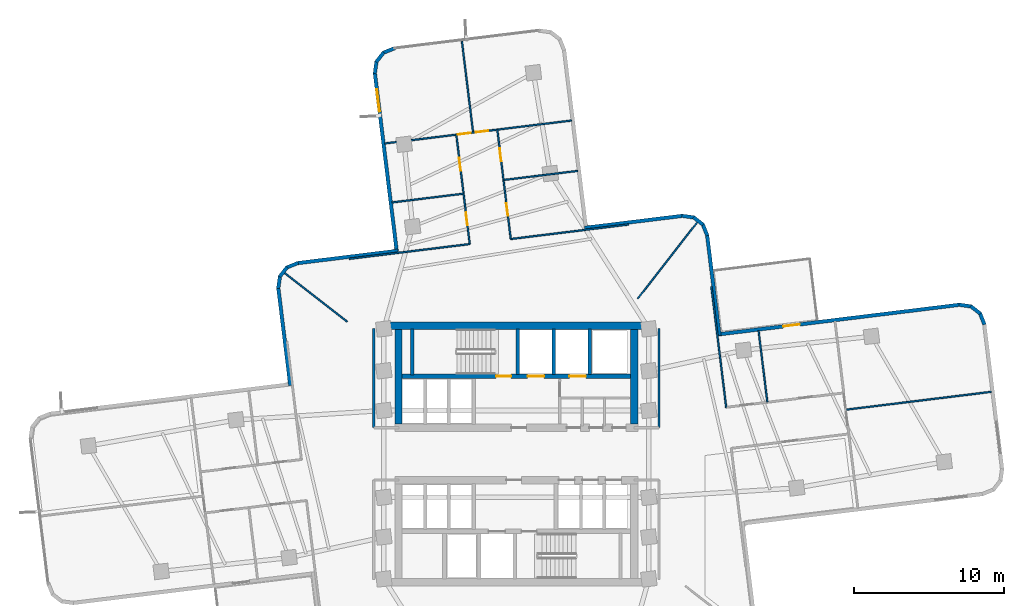
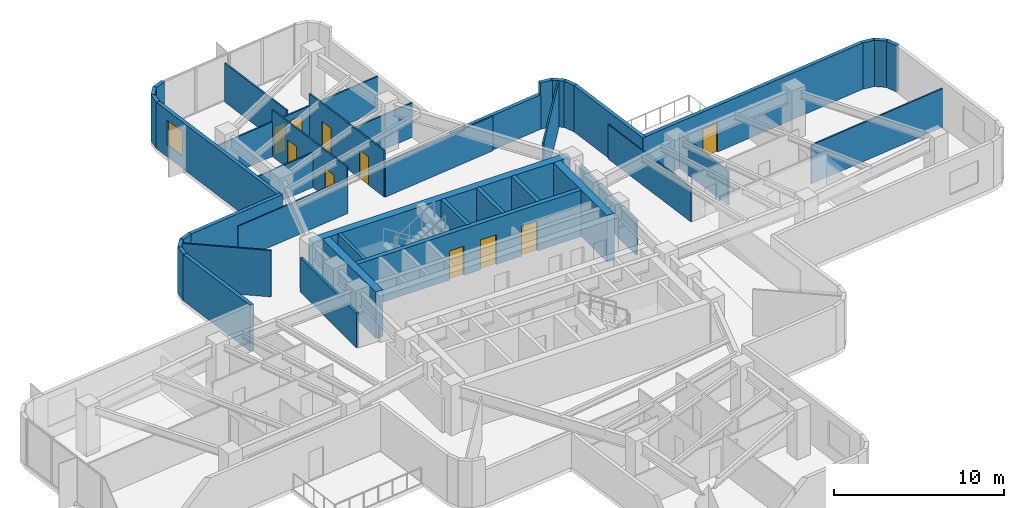
# One storey, part 9 of 13: 41 walls, 10 doors, 1 window, 11 openings.
"""IFC4 building model written with IfcOpenShell, lengths in metres."""

import ifcopenshell
import ifcopenshell.guid

model = None  # the IFC model being written
_history = None  # IfcOwnerHistory: only IFC2X3 demands one
_inside = {}  # id of a spatial element -> (the spatial element, [elements in it])
_under = {}  # id of a project, library or spatial element -> (it, [spatial elements below it])
_declared = {}  # id of a project -> (the project, [libraries it declares])
_typed = {}  # id of a type object -> (the type object, [elements of that type])
_made_of = {}  # id of a material, layer set ... -> (it, [elements and type objects made of it])


def new_model(schema):
    """Start an empty IFC model of exactly this schema.

    Asked for "IFC4X3", IfcOpenShell would pick the latest addendum, in which some entities
    have other attributes; the version numbers below select the first issue.
    IFC2X3 requires an IfcOwnerHistory on every rooted entity: one is made here for all.
    """
    global model, _history
    if schema == "IFC4X3":
        model = ifcopenshell.file(schema_version=(4, 3, 0, 0))
    else:
        model = ifcopenshell.file(schema=schema)
    _inside.clear()
    _under.clear()
    _declared.clear()
    _typed.clear()
    _made_of.clear()
    _history = None
    if model.schema == "IFC2X3":
        org = make("IfcOrganization", Name="unknown")
        user = make(
            "IfcPersonAndOrganization",
            ThePerson=make("IfcPerson", FamilyName="unknown"),
            TheOrganization=org,
        )
        app = make(
            "IfcApplication",
            ApplicationDeveloper=org,
            Version="unknown",
            ApplicationFullName="unknown",
            ApplicationIdentifier="unknown",
        )
        _history = make(
            "IfcOwnerHistory",
            OwningUser=user,
            OwningApplication=app,
            ChangeAction="ADDED",
            CreationDate=0,
        )
    return model


def make(cls, **values):
    """One entity of the class cls with the attributes given. An attribute that is None is left unset."""
    return model.create_entity(
        cls, **{name: value for name, value in values.items() if value is not None}
    )


def rooted(cls, **values):
    """An entity with a GlobalId (a new one), such as an element, a storey or a relation."""
    return make(cls, GlobalId=ifcopenshell.guid.new(), OwnerHistory=_history, **values)


def si_unit(unit_type, name, prefix=None):
    """IfcSIUnit, for example si_unit("LENGTHUNIT", "METRE", prefix="MILLI")."""
    return make("IfcSIUnit", UnitType=unit_type, Prefix=prefix, Name=name)


def assignment(units):
    """IfcUnitAssignment: the units of a project."""
    return None if units is None else make("IfcUnitAssignment", Units=units)


def point(xyz):
    """IfcCartesianPoint."""
    return None if xyz is None else make("IfcCartesianPoint", Coordinates=xyz)


def direction(xyz):
    """IfcDirection."""
    return None if xyz is None else make("IfcDirection", DirectionRatios=xyz)


def frame(location, z_axis=None, x_axis=None):
    """IfcAxis2Placement3D, a coordinate frame: its origin and axes. An axis left out is left unset."""
    return make(
        "IfcAxis2Placement3D",
        Location=point(location),
        Axis=direction(z_axis),
        RefDirection=direction(x_axis),
    )


def frame_2d(location, x_axis=None):
    """IfcAxis2Placement2D, a coordinate frame in the plane: its origin and x axis."""
    return make(
        "IfcAxis2Placement2D", Location=point(location), RefDirection=direction(x_axis)
    )


def origin():
    """The frame at (0, 0, 0) with its axes left unset."""
    return frame((0.0, 0.0, 0.0))


def place(relative_to, where):
    """IfcLocalPlacement: puts the frame where relative to a parent placement (None: the world)."""
    return make(
        "IfcLocalPlacement", PlacementRelTo=relative_to, RelativePlacement=where
    )


def context(
    kind, dimensions, precision=None, world=None, true_north=None, identifier=None
):
    """IfcGeometricRepresentationContext, for example the 3D "Model" context."""
    return make(
        "IfcGeometricRepresentationContext",
        ContextIdentifier=identifier,
        ContextType=kind,
        CoordinateSpaceDimension=dimensions,
        Precision=precision,
        WorldCoordinateSystem=world,
        TrueNorth=true_north,
    )


def subcontext(parent, identifier, kind, view, scale=None):
    """IfcGeometricRepresentationSubContext, for example "Body" below "Model"."""
    return make(
        "IfcGeometricRepresentationSubContext",
        ContextIdentifier=identifier,
        ContextType=kind,
        ParentContext=parent,
        TargetScale=scale,
        TargetView=view,
    )


def project(units=None, contexts=None):
    """IfcProject with its units and contexts."""
    return rooted(
        "IfcProject",
        Name="project",
        RepresentationContexts=contexts,
        UnitsInContext=assignment(units),
    )


def spatial(cls, under=None, at=None, **own):
    """A site, building, storey or space (cls), placed at a placement, below another one or the project."""
    s = rooted(cls, ObjectPlacement=at, **own)
    if under is not None:
        _under.setdefault(under.id(), (under, []))[1].append(s)
    return s


def profile(cls, at=None, kind="AREA", **sizes):
    """A parametric profile (cls). Its sizes go by their IFC names, for example OverallWidth=200.0."""
    return make(cls, ProfileType=kind, Position=at, **sizes)


def rectangle(**sizes):
    """IfcRectangleProfileDef."""
    return profile("IfcRectangleProfileDef", **sizes)


def extrude(swept, where, along, depth):
    """IfcExtrudedAreaSolid: the profile swept, set in the frame where, extruded along a direction by depth."""
    return make(
        "IfcExtrudedAreaSolid",
        SweptArea=swept,
        Position=where,
        ExtrudedDirection=direction(along),
        Depth=depth,
    )


def shape(context_of_items, identifier, shape_type, items):
    """IfcShapeRepresentation: the items that make up one representation, for example the "Body"."""
    return make(
        "IfcShapeRepresentation",
        ContextOfItems=context_of_items,
        RepresentationIdentifier=identifier,
        RepresentationType=shape_type,
        Items=items,
    )


def material(Name=None, Category=None):
    """IfcMaterial."""
    return make("IfcMaterial", Name=Name, Category=Category)


def layer(
    of_material, thickness, ventilated=None, Name=None, Category=None, Priority=None
):
    """IfcMaterialLayer: one layer of a wall or slab, of a material (None: an air gap)."""
    return make(
        "IfcMaterialLayer",
        Material=of_material,
        LayerThickness=thickness,
        IsVentilated=ventilated,
        Name=Name,
        Category=Category,
        Priority=Priority,
    )


def layer_set(layers, Name=None):
    """IfcMaterialLayerSet."""
    return make("IfcMaterialLayerSet", MaterialLayers=layers, LayerSetName=Name)


def made_of(thing, what):
    """Note that an element or type object is made of a material, layer set ...; save() writes the relation."""
    if what is not None:
        _made_of.setdefault(what.id(), (what, []))[1].append(thing)
    return thing


def type_object(cls, material=None, **own):
    """A type object (cls), such as IfcWallType, which elements share."""
    return made_of(rooted(cls, **own), material)


def element(
    cls,
    number,
    at=None,
    inside=None,
    cuts=None,
    type_object=None,
    material=None,
    context=None,
    identifier="Body",
    shape_type=None,
    held_by="IfcProductDefinitionShape",
    body=None,
    shapes=None,
    **own,
):
    """One element of the class cls, such as IfcWall. Its Tag is "e" and its number.

    at: its placement. inside: the storey or other place that contains it. cuts: it is an
    opening in that element (IfcRelVoidsElement). A single representation is given by context,
    identifier, shape_type and body (its items); several are given by shapes. held_by: the class
    of the entity that holds the representations. save() writes the other relations.
    """
    e = rooted(cls, Tag="e%d" % number, ObjectPlacement=at, **own)
    if body is not None:
        shapes = [shape(context, identifier, shape_type, body)]
    if shapes is not None:
        e.Representation = make(held_by, Representations=shapes)
    if inside is not None:
        _inside.setdefault(inside.id(), (inside, []))[1].append(e)
    if cuts is not None:
        rooted(
            "IfcRelVoidsElement", RelatingBuildingElement=cuts, RelatedOpeningElement=e
        )
    if type_object is not None:
        _typed.setdefault(type_object.id(), (type_object, []))[1].append(e)
    return made_of(e, material)


def fill(opening, filler):
    """IfcRelFillsElement: the door or window that sits in an opening."""
    return rooted(
        "IfcRelFillsElement",
        RelatingOpeningElement=opening,
        RelatedBuildingElement=filler,
    )


def aggregate(whole, parts):
    """IfcRelAggregates: a whole, such as a stair, and the parts it consists of."""
    return rooted("IfcRelAggregates", RelatingObject=whole, RelatedObjects=parts)


def save(model, path):
    """Write the relations noted so far, then the file.

    IfcRelAggregates (storeys below a building ...), IfcRelContainedInSpatialStructure (elements
    in a storey), IfcRelDefinesByType, IfcRelAssociatesMaterial and IfcRelDeclares: one each for
    every whole, place, type object, material and project.
    """
    for whole, parts in _under.values():
        aggregate(whole, parts)
    for where, things in _inside.values():
        rooted(
            "IfcRelContainedInSpatialStructure",
            RelatedElements=things,
            RelatingStructure=where,
        )
    for kind, things in _typed.values():
        rooted("IfcRelDefinesByType", RelatedObjects=things, RelatingType=kind)
    for what, things in _made_of.values():
        rooted("IfcRelAssociatesMaterial", RelatedObjects=things, RelatingMaterial=what)
    for by, libraries in _declared.values():
        rooted("IfcRelDeclares", RelatingContext=by, RelatedDefinitions=libraries)
    model.write(path)


model = new_model("IFC4")

# Units and contexts
model_context = context("Model", 3, precision=1e-05, world=origin(), true_north=direction((0.0, 1.0)))
body_context = subcontext(model_context, "Body", "Model", "MODEL_VIEW")
ifc_project = project(units=[si_unit("LENGTHUNIT", "METRE"), si_unit("AREAUNIT", "SQUARE_METRE"), si_unit("VOLUMEUNIT", "CUBIC_METRE"), si_unit("PLANEANGLEUNIT", "RADIAN"), si_unit("MASSUNIT", "GRAM", prefix="KILO")], contexts=[model_context])

# Site, building, storey
site_placement = place(None, origin())
site = spatial("IfcSite", under=ifc_project, at=site_placement, CompositionType="ELEMENT")
building_placement = place(site_placement, origin())
building = spatial("IfcBuilding", under=site, at=building_placement, Name="Solmarez Civic Tower", CompositionType="ELEMENT")
storey_placement = place(building_placement, frame((0.0, 0.0, 82.080078125)))
storey = spatial("IfcBuildingStorey", under=building, at=storey_placement, Name="L21", CompositionType="ELEMENT", Elevation=82.080078125)

# Walls
ifc_material_1 = material(Name="Concrete C60/75", Category="concrete")
ifc_layer_1 = layer(ifc_material_1, 0.5)
ifc_layer_set_1 = layer_set([ifc_layer_1], Name="Concrete C60/75")
wall_type_1 = type_object("IfcWallType", Name="WALL-CORE-500", PredefinedType="SHEAR", material=ifc_layer_set_1)
wall_1_placement = place(storey_placement, frame((-8.780029296875, 8.56005859375, 0.0), z_axis=(0.0, 0.0, 1.0), x_axis=(1.0, 0.0, 0.0)))
element("IfcWall", 1, at=wall_1_placement, inside=storey, type_object=wall_type_1, Name="L21 Split-Core Structural Wall NCW-N-L21", PredefinedType="SHEAR", context=body_context, shape_type="SweptSolid", body=[
    extrude(rectangle(XDim=17.56005859375, YDim=0.5, at=frame_2d((8.780029296875, 0.0))), origin(), (0.0, 0.0, 1.0), 3.33984375),
])
for number, where, z_axis, x_axis, name in (
    (2, (-7.8701171875, 2.0, 0.0), (0.0, 0.0, 1.0), (0.0, 1.0, 0.0), "L21 Split-Core Structural Wall NCW-W-L21"),
    (3, (7.8701171875, 8.31005859375, 0.0), (0.0, 0.0, 1.0), (0.0, -1.0, 0.0), "L21 Split-Core Structural Wall NCW-E-L21"),
):
    element("IfcWall", number, at=place(storey_placement, frame(where, z_axis=z_axis, x_axis=x_axis)), inside=storey, type_object=wall_type_1, Name=name, PredefinedType="SHEAR", context=body_context, shape_type="SweptSolid", body=[
        extrude(rectangle(XDim=6.31005859375, YDim=0.5, at=frame_2d((3.155029296875, 0.0))), origin(), (0.0, 0.0, 1.0), 3.33984375),
    ])
ifc_material_2 = material(Name="Precast concrete C40/50", Category="concrete")
ifc_layer_2 = layer(ifc_material_2, 0.239990234375)
ifc_layer_set_2 = layer_set([ifc_layer_2], Name="Precast concrete C40/50")
wall_type_2 = type_object("IfcWallType", Name="WALL-EXT-240", PredefinedType="SOLIDWALL", material=ifc_layer_set_2)
wall_2_placement = place(storey_placement, frame((-15.097900390625, 4.55810546875, 0.0), z_axis=(0.0, 0.0, 1.0), x_axis=(-0.121938646341, 0.992537639855, 0.0)))
element("IfcWall", 4, at=wall_2_placement, inside=storey, type_object=wall_type_2, Name="L21 Exterior Precast Wall 13", PredefinedType="SOLIDWALL", context=body_context, shape_type="SweptSolid", body=[
    extrude(rectangle(XDim=6.59521484375, YDim=0.239990234375, at=frame_2d((3.297607421875, 0.0))), origin(), (0.0, 0.0, 1.0), 3.33984375),
])
wall_3_placement = place(storey_placement, frame((-15.902099609375, 11.053955078125, 0.0), z_axis=(0.0, 0.0, 1.0), x_axis=(0.138376981782, 0.990379629694, 0.0)))
element("IfcWall", 5, at=wall_3_placement, inside=storey, type_object=wall_type_2, Name="L21 Exterior Precast Wall 14", PredefinedType="SOLIDWALL", context=body_context, shape_type="SweptSolid", body=[
    extrude(rectangle(XDim=0.8310546875, YDim=0.239990234375, at=frame_2d((0.41552734375, 0.0))), origin(), (0.0, 0.0, 1.0), 3.33984375),
])
wall_4_placement = place(storey_placement, frame((-15.804931640625, 11.83203125, 0.0), z_axis=(0.0, 0.0, 1.0), x_axis=(0.614397431824, 0.788996702001, 0.0)))
element("IfcWall", 6, at=wall_4_placement, inside=storey, type_object=wall_type_2, Name="L21 Exterior Precast Wall 15", PredefinedType="SOLIDWALL", context=body_context, shape_type="SweptSolid", body=[
    extrude(rectangle(XDim=0.813720703125, YDim=0.239990234375, at=frame_2d((0.40673828125, 0.0))), origin(), (0.0, 0.0, 1.0), 3.33984375),
])
wall_5_placement = place(storey_placement, frame((-15.343017578125, 12.445068359375, 0.0), z_axis=(0.0, 0.0, 1.0), x_axis=(0.927724225254, 0.37326634174, 0.0)))
element("IfcWall", 7, at=wall_5_placement, inside=storey, type_object=wall_type_2, Name="L21 Exterior Precast Wall 16", PredefinedType="SOLIDWALL", context=body_context, shape_type="SweptSolid", body=[
    extrude(rectangle(XDim=0.830078125, YDim=0.239990234375, at=frame_2d((0.4150390625, 0.0))), origin(), (0.0, 0.0, 1.0), 3.33984375),
])
wall_6_placement = place(storey_placement, frame((-14.62109375, 12.742919921875, 0.0), z_axis=(0.0, 0.0, 1.0), x_axis=(0.992536263595, 0.121949848087, 0.0)))
element("IfcWall", 8, at=wall_6_placement, inside=storey, type_object=wall_type_2, Name="L21 Exterior Precast Wall 17", PredefinedType="SOLIDWALL", context=body_context, shape_type="SweptSolid", body=[
    extrude(rectangle(XDim=6.774658203125, YDim=0.239990234375, at=frame_2d((3.38720703125, 0.0))), origin(), (0.0, 0.0, 1.0), 3.33984375),
])

# Wall, opening, window
wall_7_placement = place(storey_placement, frame((-7.97998046875, 13.4619140625, 0.0), z_axis=(0.0, 0.0, 1.0), x_axis=(-0.12189689255, 0.992542768644, 0.0)))
wall_7 = element("IfcWall", 9, at=wall_7_placement, inside=storey, type_object=wall_type_2, Name="L21 Exterior Precast Wall 20", PredefinedType="SOLIDWALL", context=body_context, shape_type="SweptSolid", body=[
    extrude(rectangle(XDim=12.0751953125, YDim=0.239990234375, at=frame_2d((6.03759765625, 0.0))), origin(), (0.0, 0.0, 1.0), 3.33984375),
])
opening_1_placement = place(wall_7_placement, frame((9.47509765625, 0.0, 0.85009765625)))
opening_1 = element("IfcOpeningElement", 10, at=opening_1_placement, cuts=wall_7, Name="Opening W-13", PredefinedType="OPENING", context=body_context, shape_type="SweptSolid", body=[
    extrude(rectangle(XDim=1.5, YDim=1.800048828125, at=frame_2d((0.75, 0.89990234375))), frame((0.0, 0.1298828125, 0.0), z_axis=(0.0, -1.0, 0.0), x_axis=(1.0, 0.0, 0.0)), (0.0, 0.0, 1.0), 0.260009765625),
])
ifc_material_3 = material(Name="Solar Control Bronze-Tinted Insulating Glass", Category="glass")
window_type = type_object("IfcWindowType", Name="WIN-1500X1800", PartitioningType="SINGLE_PANEL", PredefinedType="WINDOW", material=ifc_material_3)
window_placement = place(opening_1_placement, origin())
window = element("IfcWindow", 11, at=window_placement, inside=storey, type_object=window_type, Name="L21 Exterior Facade Window 20", OverallHeight=1.800048828125, OverallWidth=1.5, PartitioningType="SINGLE_PANEL", PredefinedType="WINDOW", context=body_context, shape_type="SweptSolid", body=[
    extrude(rectangle(XDim=1.5, YDim=1.800048828125, at=frame_2d((0.75, 0.89990234375))), frame((0.0, 0.030029296875, 0.0), z_axis=(0.0, -1.0, 0.0), x_axis=(1.0, 0.0, 0.0)), (0.0, 0.0, 1.0), 0.06005859375),
])
fill(opening_1, window)

# Walls
wall_8_placement = place(storey_placement, frame((-9.451904296875, 25.39697265625, 0.0), z_axis=(0.0, 0.0, 1.0), x_axis=(0.138376981782, 0.990379629694, 0.0)))
element("IfcWall", 12, at=wall_8_placement, inside=storey, type_object=wall_type_2, Name="L21 Exterior Precast Wall 21", PredefinedType="SOLIDWALL", context=body_context, shape_type="SweptSolid", body=[
    extrude(rectangle(XDim=0.8310546875, YDim=0.239990234375, at=frame_2d((0.41552734375, 0.0))), origin(), (0.0, 0.0, 1.0), 3.33984375),
])
wall_9_placement = place(storey_placement, frame((-9.35498046875, 26.175048828125, 0.0), z_axis=(0.0, 0.0, 1.0), x_axis=(0.614542882467, 0.788883416995, 0.0)))
element("IfcWall", 13, at=wall_9_placement, inside=storey, type_object=wall_type_2, Name="L21 Exterior Precast Wall 22", PredefinedType="SOLIDWALL", context=body_context, shape_type="SweptSolid", body=[
    extrude(rectangle(XDim=0.813720703125, YDim=0.239990234375, at=frame_2d((0.40673828125, 0.0))), origin(), (0.0, 0.0, 1.0), 3.33984375),
])
wall_10_placement = place(storey_placement, frame((-8.89306640625, 26.7880859375, 0.0), z_axis=(0.0, 0.0, 1.0), x_axis=(0.927724225254, 0.37326634174, 0.0)))
element("IfcWall", 14, at=wall_10_placement, inside=storey, type_object=wall_type_2, Name="L21 Exterior Precast Wall 23", PredefinedType="SOLIDWALL", context=body_context, shape_type="SweptSolid", body=[
    extrude(rectangle(XDim=0.830078125, YDim=0.239990234375, at=frame_2d((0.4150390625, 0.0))), origin(), (0.0, 0.0, 1.0), 3.33984375),
])
wall_11_placement = place(storey_placement, frame((4.55810546875, 15.097900390625, 0.0), z_axis=(0.0, 0.0, 1.0), x_axis=(0.992537639855, 0.121938646341, 0.0)))
element("IfcWall", 15, at=wall_11_placement, inside=storey, type_object=wall_type_2, Name="L21 Exterior Precast Wall 31", PredefinedType="SOLIDWALL", context=body_context, shape_type="SweptSolid", body=[
    extrude(rectangle(XDim=6.59521484375, YDim=0.239990234375, at=frame_2d((3.297607421875, 0.0))), origin(), (0.0, 0.0, 1.0), 2.48583984375),
])
wall_12_placement = place(storey_placement, frame((11.053955078125, 15.902099609375, 0.0), z_axis=(0.0, 0.0, 1.0), x_axis=(0.990379629694, -0.138376981782, 0.0)))
element("IfcWall", 16, at=wall_12_placement, inside=storey, type_object=wall_type_2, Name="L21 Exterior Precast Wall 32", PredefinedType="SOLIDWALL", context=body_context, shape_type="SweptSolid", body=[
    extrude(rectangle(XDim=0.8310546875, YDim=0.239990234375, at=frame_2d((0.41552734375, 0.0))), origin(), (0.0, 0.0, 1.0), 3.33984375),
])
wall_13_placement = place(storey_placement, frame((11.83203125, 15.804931640625, 0.0), z_axis=(0.0, 0.0, 1.0), x_axis=(0.788996702001, -0.614397431824, 0.0)))
element("IfcWall", 17, at=wall_13_placement, inside=storey, type_object=wall_type_2, Name="L21 Exterior Precast Wall 33", PredefinedType="SOLIDWALL", context=body_context, shape_type="SweptSolid", body=[
    extrude(rectangle(XDim=0.813720703125, YDim=0.239990234375, at=frame_2d((0.40673828125, 0.0))), origin(), (0.0, 0.0, 1.0), 3.33984375),
])
wall_14_placement = place(storey_placement, frame((12.445068359375, 15.343017578125, 0.0), z_axis=(0.0, 0.0, 1.0), x_axis=(0.37326634174, -0.927724225254, 0.0)))
element("IfcWall", 18, at=wall_14_placement, inside=storey, type_object=wall_type_2, Name="L21 Exterior Precast Wall 34", PredefinedType="SOLIDWALL", context=body_context, shape_type="SweptSolid", body=[
    extrude(rectangle(XDim=0.830078125, YDim=0.239990234375, at=frame_2d((0.4150390625, 0.0))), origin(), (0.0, 0.0, 1.0), 3.33984375),
])
wall_15_placement = place(storey_placement, frame((12.742919921875, 14.62109375, 0.0), z_axis=(0.0, 0.0, 1.0), x_axis=(0.121949848087, -0.992536263595, 0.0)))
element("IfcWall", 19, at=wall_15_placement, inside=storey, type_object=wall_type_2, Name="L21 Exterior Precast Wall 35", PredefinedType="SOLIDWALL", context=body_context, shape_type="SweptSolid", body=[
    extrude(rectangle(XDim=6.774658203125, YDim=0.239990234375, at=frame_2d((3.38720703125, 0.0))), origin(), (0.0, 0.0, 1.0), 3.33984375),
])

# Wall, opening, door
wall_16_placement = place(storey_placement, frame((13.4619140625, 7.97998046875, 0.0), z_axis=(0.0, 0.0, 1.0), x_axis=(0.992550299081, 0.121835560463, 0.0)))
wall_16 = element("IfcWall", 20, at=wall_16_placement, inside=storey, type_object=wall_type_2, Name="L21 Exterior Precast Wall 38", PredefinedType="SOLIDWALL", context=body_context, shape_type="SweptSolid", body=[
    extrude(rectangle(XDim=16.275390625, YDim=0.239990234375, at=frame_2d((8.1376953125, 0.0))), origin(), (0.0, 0.0, 1.0), 3.33984375),
])
opening_2_placement = place(wall_16_placement, frame((4.39990234375, 0.0, 0.0)))
opening_2 = element("IfcOpeningElement", 21, at=opening_2_placement, cuts=wall_16, Name="Opening D-06", PredefinedType="OPENING", context=body_context, shape_type="SweptSolid", body=[
    extrude(rectangle(XDim=1.10009765625, YDim=2.10009765625, at=frame_2d((0.550048828125, 1.050048828125))), frame((0.0, 0.1298828125, 0.0), z_axis=(0.0, -1.0, 0.0), x_axis=(1.0, 0.0, 0.0)), (0.0, 0.0, 1.0), 0.260009765625),
])
ifc_material_4 = material(Name="Bronze Anodised Aluminium Glazed Terrace Door", Category="aluminium")
door_type_1 = type_object("IfcDoorType", Name="DOOR-TERR-1100", OperationType="NOTDEFINED", PredefinedType="DOOR", material=ifc_material_4)
door_1_placement = place(opening_2_placement, origin())
door_1 = element("IfcDoor", 22, at=door_1_placement, inside=storey, type_object=door_type_1, Name="L21 Outdoor Terrace Glazed Door", OperationType="SINGLE_SWING_RIGHT", OverallHeight=2.10009765625, OverallWidth=1.10009765625, PredefinedType="DOOR", context=body_context, shape_type="SweptSolid", body=[
    extrude(rectangle(XDim=1.10009765625, YDim=2.10009765625, at=frame_2d((0.550048828125, 1.050048828125))), frame((0.0, 0.02490234375, 0.0), z_axis=(0.0, -1.0, 0.0), x_axis=(1.0, 0.0, 0.0)), (0.0, 0.0, 1.0), 0.050048828125),
])
fill(opening_2, door_1)

# Walls
wall_17_placement = place(storey_placement, frame((29.56591796875, 9.962890625, 0.0), z_axis=(0.0, 0.0, 1.0), x_axis=(0.990579937989, -0.136935701899, 0.0)))
element("IfcWall", 23, at=wall_17_placement, inside=storey, type_object=wall_type_2, Name="L21 Exterior Precast Wall 39", PredefinedType="SOLIDWALL", context=body_context, shape_type="SweptSolid", body=[
    extrude(rectangle(XDim=0.830810546875, YDim=0.239990234375, at=frame_2d((0.41552734375, 0.0))), origin(), (0.0, 0.0, 1.0), 3.33984375),
])
wall_18_placement = place(storey_placement, frame((30.343994140625, 9.866943359375, 0.0), z_axis=(0.0, 0.0, 1.0), x_axis=(0.788996702001, -0.614397431824, 0.0)))
element("IfcWall", 24, at=wall_18_placement, inside=storey, type_object=wall_type_2, Name="L21 Exterior Precast Wall 40", PredefinedType="SOLIDWALL", context=body_context, shape_type="SweptSolid", body=[
    extrude(rectangle(XDim=0.813720703125, YDim=0.239990234375, at=frame_2d((0.40673828125, 0.0))), origin(), (0.0, 0.0, 1.0), 3.33984375),
])
wall_19_placement = place(storey_placement, frame((30.95703125, 9.405029296875, 0.0), z_axis=(0.0, 0.0, 1.0), x_axis=(0.373519459995, -0.927622343955, 0.0)))
element("IfcWall", 25, at=wall_19_placement, inside=storey, type_object=wall_type_2, Name="L21 Exterior Precast Wall 41", PredefinedType="SOLIDWALL", context=body_context, shape_type="SweptSolid", body=[
    extrude(rectangle(XDim=0.830078125, YDim=0.239990234375, at=frame_2d((0.4150390625, 0.0))), origin(), (0.0, 0.0, 1.0), 3.33984375),
])
ifc_material_5 = material(Name="Gypsum Board Acoustic Steel-Stud Partition", Category="steel")
ifc_layer_3 = layer(ifc_material_5, 0.14990234375)
ifc_layer_set_3 = layer_set([ifc_layer_3], Name="Gypsum Board Acoustic Steel-Stud Partition")
wall_type_3 = type_object("IfcWallType", Name="WALL-INT-FIRE-150", PredefinedType="PARTITIONING", material=ifc_layer_set_3)
for number, where, z_axis, x_axis, name in (
    (26, (-9.52001953125, 1.75, 0.0), (0.0, 0.0, 1.0), (0.0, 1.0, 0.0), "L21 Interior Partition CHW-L21-WN1"),
    (27, (9.52001953125, 1.75, 0.0), (0.0, 0.0, 1.0), (0.0, 1.0, 0.0), "L21 Interior Partition CHW-L21-EN1"),
):
    element("IfcWall", number, at=place(storey_placement, frame(where, z_axis=z_axis, x_axis=x_axis)), inside=storey, type_object=wall_type_3, Name=name, PredefinedType="PARTITIONING", context=body_context, shape_type="SweptSolid", body=[
        extrude(rectangle(XDim=6.6298828125, YDim=0.14990234375, at=frame_2d((3.31494140625, 0.0))), origin(), (0.0, 0.0, 1.0), 2.48583984375),
    ])
ifc_layer_4 = layer(ifc_material_5, 0.10009765625)
ifc_layer_set_4 = layer_set([ifc_layer_4], Name="Gypsum Board Acoustic Steel-Stud Partition")
wall_type_4 = type_object("IfcWallType", Name="WALL-INT-PART-100", PredefinedType="PARTITIONING", material=ifc_layer_set_4)
wall_20_placement = place(storey_placement, frame((8.110107421875, 10.3798828125, 0.0), z_axis=(0.0, 0.0, 1.0), x_axis=(0.615665236773, 0.788007814828, 0.0)))
element("IfcWall", 28, at=wall_20_placement, inside=storey, type_object=wall_type_4, Name="L21 Interior Partition PT-L21-QDIV-1", PredefinedType="PARTITIONING", context=body_context, shape_type="SweptSolid", body=[
    extrude(rectangle(XDim=6.482421875, YDim=0.10009765625, at=frame_2d((3.2412109375, 0.0))), origin(), (0.0, 0.0, 1.0), 3.33984375),
])
wall_21_placement = place(storey_placement, frame((-11.300048828125, 8.8291015625, 0.0), z_axis=(0.0, 0.0, 1.0), x_axis=(-0.788014623364, 0.61565652223, 0.0)))
element("IfcWall", 29, at=wall_21_placement, inside=storey, type_object=wall_type_4, Name="L21 Interior Partition PT-L21-QDIV-2", PredefinedType="PARTITIONING", context=body_context, shape_type="SweptSolid", body=[
    extrude(rectangle(XDim=5.314697265625, YDim=0.10009765625, at=frame_2d((2.6572265625, 0.0))), origin(), (0.0, 0.0, 1.0), 3.33984375),
])
wall_22_placement = place(storey_placement, frame((14.01708984375, 3.10107421875, 0.0), z_axis=(0.0, 0.0, 1.0), x_axis=(-0.122045971517, 0.992524448483, 0.0)))
element("IfcWall", 30, at=wall_22_placement, inside=storey, type_object=wall_type_4, Name="L21 Interior Partition PT-L21-E-EFL", PredefinedType="PARTITIONING", context=body_context, shape_type="SweptSolid", body=[
    extrude(rectangle(XDim=8.129638671875, YDim=0.10009765625, at=frame_2d((4.06494140625, 0.0))), origin(), (0.0, 0.0, 1.0), 2.48583984375),
])
wall_23_placement = place(storey_placement, frame((16.761962890625, 3.468994140625, 0.0), z_axis=(0.0, 0.0, 1.0), x_axis=(-0.121797137196, 0.992555014783, 0.0)))
element("IfcWall", 31, at=wall_23_placement, inside=storey, type_object=wall_type_4, Name="L21 Interior Partition PT-L21-E-LM", PredefinedType="PARTITIONING", context=body_context, shape_type="SweptSolid", body=[
    extrude(rectangle(XDim=4.794677734375, YDim=0.10009765625, at=frame_2d((2.3974609375, 0.0))), origin(), (0.0, 0.0, 1.0), 2.48583984375),
])
wall_24_placement = place(storey_placement, frame((22.06396484375, 2.9609375, 0.0), z_axis=(0.0, 0.0, 1.0), x_axis=(0.992550160931, 0.121836685916, 0.0)))
element("IfcWall", 32, at=wall_24_placement, inside=storey, type_object=wall_type_4, Name="L21 Interior Partition PT-L21-E-TM", PredefinedType="PARTITIONING", context=body_context, shape_type="SweptSolid", body=[
    extrude(rectangle(XDim=9.734619140625, YDim=0.10009765625, at=frame_2d((4.8671875, 0.0))), origin(), (0.0, 0.0, 1.0), 2.79296875),
])
wall_25_placement = place(storey_placement, frame((-3.10107421875, 14.01708984375, 0.0), z_axis=(0.0, 0.0, 1.0), x_axis=(-0.992524448483, -0.122045971517, 0.0)))
element("IfcWall", 33, at=wall_25_placement, inside=storey, type_object=wall_type_4, Name="L21 Interior Partition PT-L21-N-EFL", PredefinedType="PARTITIONING", context=body_context, shape_type="SweptSolid", body=[
    extrude(rectangle(XDim=8.129638671875, YDim=0.10009765625, at=frame_2d((4.06494140625, 0.0))), origin(), (0.0, 0.0, 1.0), 2.48583984375),
])
wall_26_placement = place(storey_placement, frame((7.509033203125, 15.320068359375, 0.0), z_axis=(0.0, 0.0, 1.0), x_axis=(-0.992529957607, -0.122001160868, 0.0)))
element("IfcWall", 34, at=wall_26_placement, inside=storey, type_object=wall_type_4, Name="L21 Interior Partition PT-L21-N-EFR", PredefinedType="PARTITIONING", context=body_context, shape_type="SweptSolid", body=[
    extrude(rectangle(XDim=7.950439453125, YDim=0.10009765625, at=frame_2d((3.97509765625, 0.0))), origin(), (0.0, 0.0, 1.0), 2.48583984375),
])
wall_27_placement = place(storey_placement, frame((-3.5439453125, 17.3779296875, 0.0), z_axis=(0.0, 0.0, 1.0), x_axis=(-0.992530372873, -0.121997782455, 0.0)))
element("IfcWall", 35, at=wall_27_placement, inside=storey, type_object=wall_type_4, Name="L21 Interior Partition PT-L21-N-LM", PredefinedType="PARTITIONING", context=body_context, shape_type="SweptSolid", body=[
    extrude(rectangle(XDim=4.794921875, YDim=0.10009765625, at=frame_2d((2.3974609375, 0.0))), origin(), (0.0, 0.0, 1.0), 2.48583984375),
])
wall_28_placement = place(storey_placement, frame((4.10205078125, 18.90087890625, 0.0), z_axis=(0.0, 0.0, 1.0), x_axis=(-0.992554700093, -0.121799701653, 0.0)))
element("IfcWall", 36, at=wall_28_placement, inside=storey, type_object=wall_type_4, Name="L21 Interior Partition PT-L21-N-RM", PredefinedType="PARTITIONING", context=body_context, shape_type="SweptSolid", body=[
    extrude(rectangle(XDim=4.97509765625, YDim=0.10009765625, at=frame_2d((2.487548828125, 0.0))), origin(), (0.0, 0.0, 1.0), 2.48583984375),
])

# Wall, openings, doors
wall_29_placement = place(storey_placement, frame((-4.008056640625, 21.320068359375, 0.0), z_axis=(0.0, 0.0, 1.0), x_axis=(0.12187066259, -0.992545989665, 0.0)))
wall_29 = element("IfcWall", 37, at=wall_29_placement, inside=storey, type_object=wall_type_4, Name="L21 Interior Partition PT-L21-N-SL", PredefinedType="PARTITIONING", context=body_context, shape_type="SweptSolid", body=[
    extrude(rectangle(XDim=7.360107421875, YDim=0.10009765625, at=frame_2d((3.68017578125, 0.0))), origin(), (0.0, 0.0, 1.0), 3.33984375),
])
opening_3_placement = place(wall_29_placement, frame((5.235107421875, 0.0, 0.0)))
opening_3 = element("IfcOpeningElement", 38, at=opening_3_placement, cuts=wall_29, Name="Opening D-14", PredefinedType="OPENING", context=body_context, shape_type="SweptSolid", body=[
    extrude(rectangle(XDim=0.860107421875, YDim=2.0400390625, at=frame_2d((0.43017578125, 1.02001953125))), frame((0.0, 0.06005859375, 0.0), z_axis=(0.0, -1.0, 0.0), x_axis=(1.0, 0.0, 0.0)), (0.0, 0.0, 1.0), 0.1201171875),
])
opening_4_placement = place(wall_29_placement, frame((1.554931640625, 0.0, 0.0)))
opening_4 = element("IfcOpeningElement", 39, at=opening_4_placement, cuts=wall_29, Name="Opening D-14", PredefinedType="OPENING", context=body_context, shape_type="SweptSolid", body=[
    extrude(rectangle(XDim=0.860107421875, YDim=2.0400390625, at=frame_2d((0.43017578125, 1.02001953125))), frame((0.0, 0.06005859375, 0.0), z_axis=(0.0, -1.0, 0.0), x_axis=(1.0, 0.0, 0.0)), (0.0, 0.0, 1.0), 0.1201171875),
])
ifc_material_6 = material(Name="Timber Storage and Pantry Door", Category="wood")
door_type_2 = type_object("IfcDoorType", Name="DOOR-INT-850", OperationType="NOTDEFINED", PredefinedType="DOOR", material=ifc_material_6)
door_2_placement = place(opening_3_placement, origin())
door_2 = element("IfcDoor", 40, at=door_2_placement, inside=storey, type_object=door_type_2, Name="L21 Citizen Legal Clinic First North Door", OperationType="SINGLE_SWING_LEFT", OverallHeight=2.0400390625, OverallWidth=0.860107421875, PredefinedType="DOOR", context=body_context, shape_type="SweptSolid", body=[
    extrude(rectangle(XDim=0.860107421875, YDim=2.0400390625, at=frame_2d((0.43017578125, 1.02001953125))), frame((0.0, 0.02490234375, 0.0), z_axis=(0.0, -1.0, 0.0), x_axis=(1.0, 0.0, 0.0)), (0.0, 0.0, 1.0), 0.050048828125),
])
fill(opening_3, door_2)
door_3_placement = place(opening_4_placement, origin())
door_3 = element("IfcDoor", 41, at=door_3_placement, inside=storey, type_object=door_type_2, Name="L21 Public Reading Room Second North Door", OperationType="SINGLE_SWING_RIGHT", OverallHeight=2.0400390625, OverallWidth=0.860107421875, PredefinedType="DOOR", context=body_context, shape_type="SweptSolid", body=[
    extrude(rectangle(XDim=0.860107421875, YDim=2.0400390625, at=frame_2d((0.43017578125, 1.02001953125))), frame((0.0, 0.02490234375, 0.0), z_axis=(0.0, -1.0, 0.0), x_axis=(1.0, 0.0, 0.0)), (0.0, 0.0, 1.0), 0.050048828125),
])
fill(opening_4, door_3)

wall_30_placement = place(storey_placement, frame((-0.3720703125, 14.35205078125, 0.0), z_axis=(0.0, 0.0, 1.0), x_axis=(-0.121874675173, 0.992545496968, 0.0)))
wall_30 = element("IfcWall", 42, at=wall_30_placement, inside=storey, type_object=wall_type_4, Name="L21 Interior Partition PT-L21-N-SR", PredefinedType="PARTITIONING", context=body_context, shape_type="SweptSolid", body=[
    extrude(rectangle(XDim=7.35986328125, YDim=0.10009765625, at=frame_2d((3.679931640625, 0.0))), origin(), (0.0, 0.0, 1.0), 3.33984375),
])
opening_5_placement = place(wall_30_placement, frame((1.554931640625, 0.0, 0.0)))
opening_5 = element("IfcOpeningElement", 43, at=opening_5_placement, cuts=wall_30, Name="Opening D-14", PredefinedType="OPENING", context=body_context, shape_type="SweptSolid", body=[
    extrude(rectangle(XDim=0.860107421875, YDim=2.0400390625, at=frame_2d((0.43017578125, 1.02001953125))), frame((0.0, 0.06005859375, 0.0), z_axis=(0.0, -1.0, 0.0), x_axis=(1.0, 0.0, 0.0)), (0.0, 0.0, 1.0), 0.1201171875),
])
opening_6_placement = place(wall_30_placement, frame((5.235107421875, 0.0, 0.0)))
opening_6 = element("IfcOpeningElement", 44, at=opening_6_placement, cuts=wall_30, Name="Opening D-14", PredefinedType="OPENING", context=body_context, shape_type="SweptSolid", body=[
    extrude(rectangle(XDim=0.860107421875, YDim=2.0400390625, at=frame_2d((0.43017578125, 1.02001953125))), frame((0.0, 0.06005859375, 0.0), z_axis=(0.0, -1.0, 0.0), x_axis=(1.0, 0.0, 0.0)), (0.0, 0.0, 1.0), 0.1201171875),
])
door_4_placement = place(opening_5_placement, origin())
door_4 = element("IfcDoor", 45, at=door_4_placement, inside=storey, type_object=door_type_2, Name="L21 Delegates Study Lounge Third North Door", OperationType="SINGLE_SWING_RIGHT", OverallHeight=2.0400390625, OverallWidth=0.860107421875, PredefinedType="DOOR", context=body_context, shape_type="SweptSolid", body=[
    extrude(rectangle(XDim=0.860107421875, YDim=2.0400390625, at=frame_2d((0.43017578125, 1.02001953125))), frame((0.0, 0.02490234375, 0.0), z_axis=(0.0, -1.0, 0.0), x_axis=(1.0, 0.0, 0.0)), (0.0, 0.0, 1.0), 0.050048828125),
])
fill(opening_5, door_4)
door_5_placement = place(opening_6_placement, origin())
door_5 = element("IfcDoor", 46, at=door_5_placement, inside=storey, type_object=door_type_2, Name="L21 Wellness Fitness Room Fourth North Door", OperationType="SINGLE_SWING_LEFT", OverallHeight=2.0400390625, OverallWidth=0.860107421875, PredefinedType="DOOR", context=body_context, shape_type="SweptSolid", body=[
    extrude(rectangle(XDim=0.860107421875, YDim=2.0400390625, at=frame_2d((0.43017578125, 1.02001953125))), frame((0.0, 0.02490234375, 0.0), z_axis=(0.0, -1.0, 0.0), x_axis=(1.0, 0.0, 0.0)), (0.0, 0.0, 1.0), 0.050048828125),
])
fill(opening_6, door_5)

# Wall
wall_31_placement = place(storey_placement, frame((-2.89404296875, 21.51806640625, 0.0), z_axis=(0.0, 0.0, 1.0), x_axis=(-0.121787270839, 0.992556225441, 0.0)))
element("IfcWall", 47, at=wall_31_placement, inside=storey, type_object=wall_type_4, Name="L21 Interior Partition PT-L21-N-TM", PredefinedType="PARTITIONING", context=body_context, shape_type="SweptSolid", body=[
    extrude(rectangle(XDim=6.084228515625, YDim=0.10009765625, at=frame_2d((3.0419921875, 0.0))), origin(), (0.0, 0.0, 1.0), 2.79296875),
])

# Wall, openings, doors
wall_32_placement = place(storey_placement, frame((-8.787109375, 20.73291015625, 0.0), z_axis=(0.0, 0.0, 1.0), x_axis=(0.992533310633, 0.121973879511, 0.0)))
wall_32 = element("IfcWall", 48, at=wall_32_placement, inside=storey, type_object=wall_type_4, Name="L21 Interior Partition PT-L21-N-END", PredefinedType="PARTITIONING", context=body_context, shape_type="SweptSolid", body=[
    extrude(rectangle(XDim=12.56982421875, YDim=0.10009765625, at=frame_2d((6.284912109375, 0.0))), origin(), (0.0, 0.0, 1.0), 2.48583984375),
])
opening_7_placement = place(wall_32_placement, frame((6.114990234375, 0.0, 0.0)))
opening_7 = element("IfcOpeningElement", 49, at=opening_7_placement, cuts=wall_32, Name="Opening D-14", PredefinedType="OPENING", context=body_context, shape_type="SweptSolid", body=[
    extrude(rectangle(XDim=0.860107421875, YDim=2.0400390625, at=frame_2d((0.43017578125, 1.02001953125))), frame((0.0, 0.06005859375, 0.0), z_axis=(0.0, -1.0, 0.0), x_axis=(1.0, 0.0, 0.0)), (0.0, 0.0, 1.0), 0.1201171875),
])
opening_8_placement = place(wall_32_placement, frame((4.9150390625, 0.0, 0.0)))
opening_8 = element("IfcOpeningElement", 50, at=opening_8_placement, cuts=wall_32, Name="Opening D-14", PredefinedType="OPENING", context=body_context, shape_type="SweptSolid", body=[
    extrude(rectangle(XDim=0.860107421875, YDim=2.0400390625, at=frame_2d((0.43017578125, 1.02001953125))), frame((0.0, 0.06005859375, 0.0), z_axis=(0.0, -1.0, 0.0), x_axis=(1.0, 0.0, 0.0)), (0.0, 0.0, 1.0), 0.1201171875),
])
door_6_placement = place(opening_7_placement, origin())
door_6 = element("IfcDoor", 51, at=door_6_placement, inside=storey, type_object=door_type_2, Name="L21 Wellness Fitness Room Sixth North Door", OperationType="SINGLE_SWING_RIGHT", OverallHeight=2.0400390625, OverallWidth=0.860107421875, PredefinedType="DOOR", context=body_context, shape_type="SweptSolid", body=[
    extrude(rectangle(XDim=0.860107421875, YDim=2.0400390625, at=frame_2d((0.43017578125, 1.02001953125))), frame((0.0, 0.02490234375, 0.0), z_axis=(0.0, -1.0, 0.0), x_axis=(1.0, 0.0, 0.0)), (0.0, 0.0, 1.0), 0.050048828125),
])
fill(opening_7, door_6)
door_7_placement = place(opening_8_placement, origin())
door_7 = element("IfcDoor", 52, at=door_7_placement, inside=storey, type_object=door_type_2, Name="L21 Delegates Study Lounge Fifth North Door", OperationType="SINGLE_SWING_LEFT", OverallHeight=2.0400390625, OverallWidth=0.860107421875, PredefinedType="DOOR", context=body_context, shape_type="SweptSolid", body=[
    extrude(rectangle(XDim=0.860107421875, YDim=2.0400390625, at=frame_2d((0.43017578125, 1.02001953125))), frame((0.0, 0.02490234375, 0.0), z_axis=(0.0, -1.0, 0.0), x_axis=(1.0, 0.0, 0.0)), (0.0, 0.0, 1.0), 0.050048828125),
])
fill(opening_8, door_7)

ifc_material_7 = material(Name="Concrete C50/60", Category="concrete")
ifc_layer_5 = layer(ifc_material_7, 0.300048828125)
ifc_layer_set_5 = layer_set([ifc_layer_5], Name="Concrete C50/60")
wall_type_5 = type_object("IfcWallType", Name="WALL-STR-300", PredefinedType="SOLIDWALL", material=ifc_layer_set_5)
wall_33_placement = place(storey_placement, frame((7.6201171875, 5.179931640625, 0.0), z_axis=(0.0, 0.0, 1.0), x_axis=(-1.0, 0.0, 0.0)))
wall_33 = element("IfcWall", 53, at=wall_33_placement, inside=storey, type_object=wall_type_5, Name="L21 Split-Core Structural Wall NCW-M-L21", PredefinedType="SOLIDWALL", context=body_context, shape_type="SweptSolid", body=[
    extrude(rectangle(XDim=15.240234375, YDim=0.300048828125, at=frame_2d((7.6201171875, 0.0))), origin(), (0.0, 0.0, 1.0), 3.33984375),
])
opening_9_placement = place(wall_33_placement, frame((5.77001953125, 0.0, 0.0)))
opening_9 = element("IfcOpeningElement", 54, at=opening_9_placement, cuts=wall_33, Name="Opening LD-02", PredefinedType="OPENING", context=body_context, shape_type="SweptSolid", body=[
    extrude(rectangle(XDim=1.10009765625, YDim=2.14990234375, at=frame_2d((0.550048828125, 1.074951171875))), frame((0.0, 0.159912109375, 0.0), z_axis=(0.0, -1.0, 0.0), x_axis=(1.0, 0.0, 0.0)), (0.0, 0.0, 1.0), 0.320068359375),
])
opening_10_placement = place(wall_33_placement, frame((2.969970703125, 0.0, 0.0)))
opening_10 = element("IfcOpeningElement", 55, at=opening_10_placement, cuts=wall_33, Name="Opening LD-03", PredefinedType="OPENING", context=body_context, shape_type="SweptSolid", body=[
    extrude(rectangle(XDim=1.10009765625, YDim=2.14990234375, at=frame_2d((0.550048828125, 1.074951171875))), frame((0.0, 0.159912109375, 0.0), z_axis=(0.0, -1.0, 0.0), x_axis=(1.0, 0.0, 0.0)), (0.0, 0.0, 1.0), 0.320068359375),
])
opening_11_placement = place(wall_33_placement, frame((7.969970703125, 0.0, 0.0)))
opening_11 = element("IfcOpeningElement", 56, at=opening_11_placement, cuts=wall_33, Name="Opening D-05", PredefinedType="OPENING", context=body_context, shape_type="SweptSolid", body=[
    extrude(rectangle(XDim=1.0, YDim=2.10009765625, at=frame_2d((0.5, 1.050048828125))), frame((0.0, 0.159912109375, 0.0), z_axis=(0.0, -1.0, 0.0), x_axis=(1.0, 0.0, 0.0)), (0.0, 0.0, 1.0), 0.320068359375),
])
ifc_material_8 = material(Name="Fire-Rated Stairwell Exit Door", Category="wood")
door_type_3 = type_object("IfcDoorType", Name="DOOR-FD90-1000", OperationType="NOTDEFINED", PredefinedType="DOOR", material=ifc_material_8)
door_8_placement = place(opening_11_placement, origin())
door_8 = element("IfcDoor", 57, at=door_8_placement, inside=storey, type_object=door_type_3, Name="L21 North Exit Stair Door ST-1", OperationType="SINGLE_SWING_RIGHT", OverallHeight=2.10009765625, OverallWidth=1.0, PredefinedType="DOOR", context=body_context, shape_type="SweptSolid", body=[
    extrude(rectangle(XDim=1.0, YDim=2.10009765625, at=frame_2d((0.5, 1.050048828125))), frame((0.0, 0.02490234375, 0.0), z_axis=(0.0, -1.0, 0.0), x_axis=(1.0, 0.0, 0.0)), (0.0, 0.0, 1.0), 0.050048828125),
])
fill(opening_11, door_8)
ifc_material_9 = material(Name="Stainless Firefighting Lift Landing Sliding Door", Category="aluminium")
door_type_4 = type_object("IfcDoorType", Name="DOOR-LD-FF-1100", OperationType="DOUBLE_DOOR_SLIDING", PredefinedType="DOOR", material=ifc_material_9)
door_9_placement = place(opening_9_placement, origin())
door_9 = element("IfcDoor", 58, at=door_9_placement, inside=storey, type_object=door_type_4, Name="L21 Firefighting Lift Landing Door FFL-1", OperationType="DOUBLE_DOOR_SLIDING", OverallHeight=2.14990234375, OverallWidth=1.10009765625, PredefinedType="DOOR", context=body_context, shape_type="SweptSolid", body=[
    extrude(rectangle(XDim=1.10009765625, YDim=2.14990234375, at=frame_2d((0.550048828125, 1.074951171875))), frame((0.0, 0.02490234375, 0.0), z_axis=(0.0, -1.0, 0.0), x_axis=(1.0, 0.0, 0.0)), (0.0, 0.0, 1.0), 0.050048828125),
])
fill(opening_9, door_9)
ifc_material_10 = material(Name="Stainless Stretcher Lift Landing Sliding Door", Category="aluminium")
door_type_5 = type_object("IfcDoorType", Name="DOOR-LD-SV-1100", OperationType="DOUBLE_DOOR_SLIDING", PredefinedType="DOOR", material=ifc_material_10)
door_10_placement = place(opening_10_placement, origin())
door_10 = element("IfcDoor", 59, at=door_10_placement, inside=storey, type_object=door_type_5, Name="L21 Service Stretcher Lift Landing Door SVL-1", OperationType="DOUBLE_DOOR_SLIDING", OverallHeight=2.14990234375, OverallWidth=1.10009765625, PredefinedType="DOOR", context=body_context, shape_type="SweptSolid", body=[
    extrude(rectangle(XDim=1.10009765625, YDim=2.14990234375, at=frame_2d((0.550048828125, 1.074951171875))), frame((0.0, 0.02490234375, 0.0), z_axis=(0.0, -1.0, 0.0), x_axis=(1.0, 0.0, 0.0)), (0.0, 0.0, 1.0), 0.050048828125),
])
fill(opening_10, door_10)

# Walls
wall_34_placement = place(storey_placement, frame((-6.949951171875, 5.280029296875, 0.0), z_axis=(0.0, 0.0, 1.0), x_axis=(0.0, 1.0, 0.0)))
element("IfcWall", 60, at=wall_34_placement, inside=storey, type_object=wall_type_5, Name="L21 Split-Core Structural Wall SHW-NW-L21", PredefinedType="SOLIDWALL", context=body_context, shape_type="SweptSolid", body=[
    extrude(rectangle(XDim=3.06005859375, YDim=0.219970703125, at=frame_2d((1.530029296875, 0.0))), origin(), (0.0, 0.0, 1.0), 3.33984375),
])
for number, where, z_axis, x_axis, name in (
    (61, (0.10009765625, 5.300048828125, 0.0), (0.0, 0.0, 1.0), (0.0, 1.0, 0.0), "L21 Split-Core Structural Wall SHW-N1-L21"),
    (62, (2.5, 5.300048828125, 0.0), (0.0, 0.0, 1.0), (0.0, 1.0, 0.0), "L21 Split-Core Structural Wall SHW-N2-L21"),
    (63, (4.89990234375, 5.300048828125, 0.0), (0.0, 0.0, 1.0), (0.0, 1.0, 0.0), "L21 Split-Core Structural Wall SHW-N3-L21"),
):
    element("IfcWall", number, at=place(storey_placement, frame(where, z_axis=z_axis, x_axis=x_axis)), inside=storey, type_object=wall_type_5, Name=name, PredefinedType="SOLIDWALL", context=body_context, shape_type="SweptSolid", body=[
        extrude(rectangle(XDim=3.0400390625, YDim=0.25, at=frame_2d((1.52001953125, 0.0))), origin(), (0.0, 0.0, 1.0), 3.33984375),
    ])

save(model, "model.ifc")
